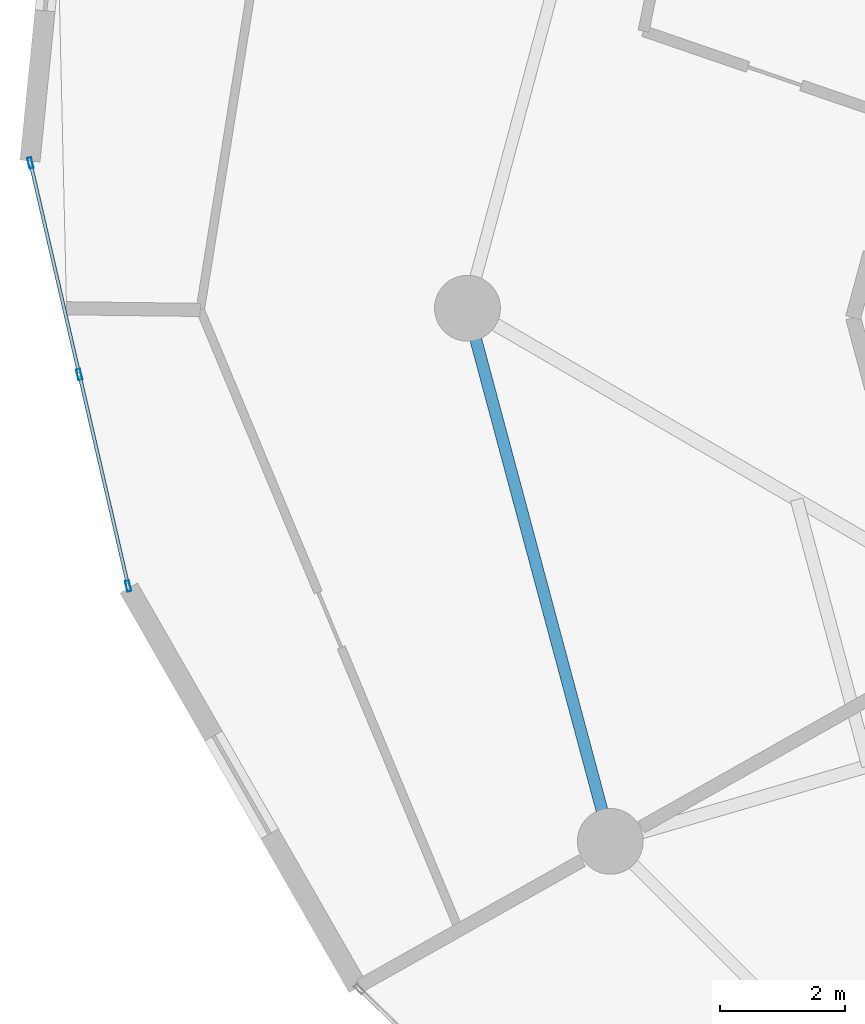
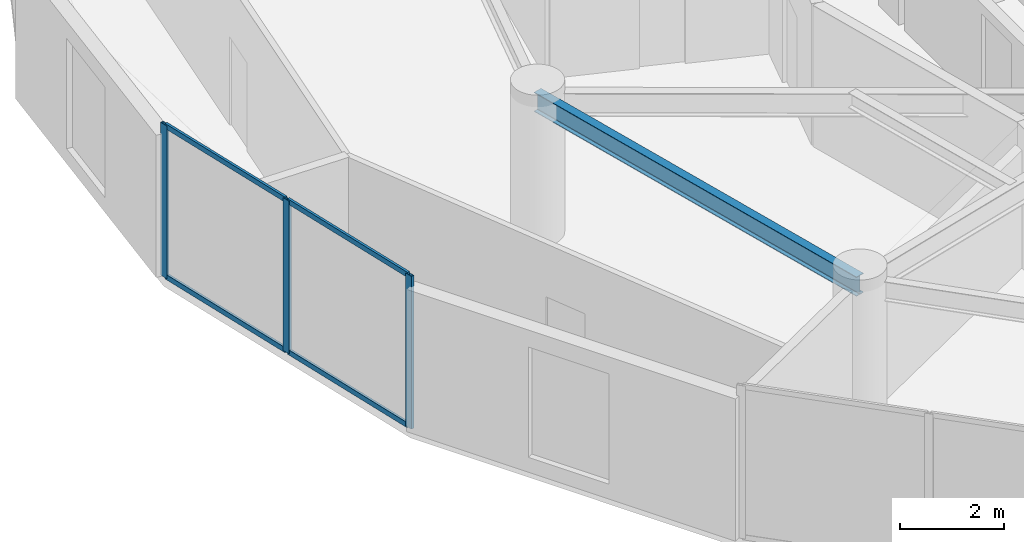
# One storey, part 6 of 25: 7 members, 1 beam, 1 element without a shape of its own.
"""IFC4 building model written with IfcOpenShell, lengths in metres."""

from ifc_helpers import new_model, si_unit, direction, frame, origin, origin_2d, place, context, subcontext, project, spatial, hollow_rectangle, i_section, extrude, source, transform, mapped, material, layer, layer_set, material_profile, profile_set, type_object, element, aggregate, save


model = new_model("IFC4")

# Units and contexts
model_context = context("Model", 3, precision=1e-05, world=origin(), true_north=direction((0.0, 1.0)))
body_context = subcontext(model_context, "Body", "Model", "MODEL_VIEW")
ifc_project = project(units=[si_unit("LENGTHUNIT", "METRE"), si_unit("AREAUNIT", "SQUARE_METRE"), si_unit("VOLUMEUNIT", "CUBIC_METRE"), si_unit("PLANEANGLEUNIT", "RADIAN"), si_unit("MASSUNIT", "GRAM", prefix="KILO")], contexts=[model_context])

# Site, building, storey
site_placement = place(None, origin())
site = spatial("IfcSite", under=ifc_project, at=site_placement, CompositionType="ELEMENT")
building_placement = place(site_placement, origin())
building = spatial("IfcBuilding", under=site, at=building_placement, Name="Solvirekh Grand Hotel", CompositionType="ELEMENT")
storey_placement = place(building_placement, frame((0.0, 0.0, 124.199951171875)))
storey = spatial("IfcBuildingStorey", under=building, at=storey_placement, Name="L31", CompositionType="ELEMENT", Elevation=124.199951171875)

# Beam
ifc_material_1 = material(Name="Steel S355", Category="steel")
ifc_material_profile_1 = material_profile(ifc_material_1, i_section(OverallWidth=0.18994140625, OverallDepth=0.45703125, WebThickness=0.009033203125, FlangeThickness=0.013916015625, FilletRadius=0.012939453125, at=origin_2d()), Name="W460X74")
ifc_profile_set_1 = profile_set([ifc_material_profile_1], Name="Steel S355")
beam_type = type_object("IfcBeamType", Name="Spandrel_Ring_W460", PredefinedType="SPANDREL", material=ifc_profile_set_1)
beam_placement = place(storey_placement, frame((-17.0, 0.0, 3.1220703125), z_axis=(0.258872908946, -0.965911391906, 0.0), x_axis=(0.965911391906, 0.258872908946, 0.0)))
element("IfcBeam", 1, at=beam_placement, inside=storey, type_object=beam_type, Name="L31 perimeter spandrel beam 7", PredefinedType="SPANDREL", context=body_context, shape_type="SweptSolid", body=[
    extrude(i_section(OverallWidth=0.18994140625, OverallDepth=0.45703125, WebThickness=0.009033203125, FlangeThickness=0.013916015625, FilletRadius=0.012939453125, at=origin_2d()), origin(), (0.0, 0.0, 1.0), 8.800048828125),
])

# Curtain wall, members
ifc_material_2 = material(Name="Anodized Bronze Aluminium 6063-T6", Category="aluminium")
ifc_layer = layer(ifc_material_2, 0.175048828125)
ifc_layer_set = layer_set([ifc_layer], Name="Anodized Bronze Aluminium 6063-T6")
curtain_wall_type = type_object("IfcCurtainWallType", Name="CW_Sys3_MidZoneFlushBronzeCW", PredefinedType="NOTDEFINED", material=ifc_layer_set)
curtain_wall_placement = place(storey_placement, origin())
curtain_wall = element("IfcCurtainWall", 2, at=curtain_wall_placement, inside=storey, type_object=curtain_wall_type, Name="L31 unitised bronze-glass curtain wall CW-L31-C13", PredefinedType="NOTDEFINED")
ifc_material_profile_2 = material_profile(ifc_material_2, hollow_rectangle(XDim=0.054931640625, YDim=0.1201171875, WallThickness=0.00390625, at=origin_2d()), Name="ALU RHS 120X55X4")
ifc_profile_set_2 = profile_set([ifc_material_profile_2], Name="Anodized Bronze Aluminium 6063-T6")
member_type_1 = type_object("IfcMemberType", Name="CWTransom_Sys3", PredefinedType="USERDEFINED", material=ifc_profile_set_2)
shared_shape_1 = source(origin(), body_context, "Body", "SweptSolid", [
    extrude(hollow_rectangle(XDim=0.054931640625, YDim=0.1201171875, WallThickness=0.00390625, at=origin_2d()), origin(), (0.0, 0.0, 1.0), 3.397216796875),
])
member_1_placement = place(storey_placement, frame((-23.181640625, -1.087646484375, 0.027587890625), z_axis=(0.225148161778, -0.974324537948, 0.0), x_axis=(0.974324537948, 0.225148161778, 0.0)))
member_1 = element("IfcMember", 3, at=member_1_placement, type_object=member_type_1, Name="U03 transom 2.1", ObjectType="TRANSOM", PredefinedType="USERDEFINED", context=body_context, shape_type="MappedRepresentation", body=[
    mapped(shared_shape_1, transform((0.0, 0.0, 0.0), x_axis=(1.0, 0.0, 0.0), y_axis=(0.0, 1.0, 0.0), z_axis=(0.0, 0.0, 1.0), scale=1.0)),
])
member_2_placement = place(storey_placement, frame((-23.181640625, -1.087646484375, 3.572509765625), z_axis=(0.225148161778, -0.974324537948, 0.0), x_axis=(0.974324537948, 0.225148161778, 0.0)))
member_2 = element("IfcMember", 4, at=member_2_placement, type_object=member_type_1, Name="U03 transom 2.2", ObjectType="TRANSOM", PredefinedType="USERDEFINED", context=body_context, shape_type="MappedRepresentation", body=[
    mapped(shared_shape_1, transform((0.0, 0.0, 0.0), x_axis=(1.0, 0.0, 0.0), y_axis=(0.0, 1.0, 0.0), z_axis=(0.0, 0.0, 1.0), scale=1.0)),
])
ifc_material_profile_3 = material_profile(ifc_material_2, hollow_rectangle(XDim=0.06494140625, YDim=0.175048828125, WallThickness=0.0048828125, at=origin_2d()), Name="ALU RHS 175X65X5")
ifc_profile_set_3 = profile_set([ifc_material_profile_3], Name="Anodized Bronze Aluminium 6063-T6")
member_type_2 = type_object("IfcMemberType", Name="CWMullion_Sys3", PredefinedType="MULLION", material=ifc_profile_set_3)
shared_shape_2 = source(origin(), body_context, "Body", "SweptSolid", [
    extrude(hollow_rectangle(XDim=0.06494140625, YDim=0.175048828125, WallThickness=0.0048828125, at=origin_2d()), origin(), (0.0, 0.0, 1.0), 3.60009765625),
])
member_3_placement = place(storey_placement, frame((-23.96875, 2.3173828125, 0.0), z_axis=(0.0, 0.0, 1.0), x_axis=(0.974313976399, 0.225193861801, 0.0)))
member_3 = element("IfcMember", 5, at=member_3_placement, type_object=member_type_2, Name="U03 mullion 1", PredefinedType="MULLION", context=body_context, shape_type="MappedRepresentation", body=[
    mapped(shared_shape_2, transform((0.0, 0.0, 0.0), x_axis=(1.0, 0.0, 0.0), y_axis=(0.0, 1.0, 0.0), z_axis=(0.0, 0.0, 1.0), scale=1.0)),
])
member_4_placement = place(storey_placement, frame((-23.18896484375, -1.055908203125, 0.0), z_axis=(0.0, 0.0, 1.0), x_axis=(0.974313976399, 0.225193861801, 0.0)))
member_4 = element("IfcMember", 6, at=member_4_placement, type_object=member_type_2, Name="U03 mullion 2", PredefinedType="MULLION", context=body_context, shape_type="MappedRepresentation", body=[
    mapped(shared_shape_2, transform((0.0, 0.0, 0.0), x_axis=(1.0, 0.0, 0.0), y_axis=(0.0, 1.0, 0.0), z_axis=(0.0, 0.0, 1.0), scale=1.0)),
])
member_5_placement = place(storey_placement, frame((-22.409423828125, -4.429443359375, 0.0), z_axis=(0.0, 0.0, 1.0), x_axis=(0.974313976399, 0.225193861801, 0.0)))
member_5 = element("IfcMember", 7, at=member_5_placement, type_object=member_type_2, Name="U03 mullion 3", PredefinedType="MULLION", context=body_context, shape_type="MappedRepresentation", body=[
    mapped(shared_shape_2, transform((0.0, 0.0, 0.0), x_axis=(1.0, 0.0, 0.0), y_axis=(0.0, 1.0, 0.0), z_axis=(0.0, 0.0, 1.0), scale=1.0)),
])
shared_shape_3 = source(origin(), body_context, "Body", "SweptSolid", [
    extrude(hollow_rectangle(XDim=0.054931640625, YDim=0.1201171875, WallThickness=0.00390625, at=origin_2d()), origin(), (0.0, 0.0, 1.0), 3.3974609375),
])
member_6_placement = place(storey_placement, frame((-23.96142578125, 2.28564453125, 0.027587890625), z_axis=(0.225216380684, -0.97430877132, 0.0), x_axis=(0.97430877132, 0.225216380684, 0.0)))
member_6 = element("IfcMember", 8, at=member_6_placement, type_object=member_type_1, Name="U03 transom 1.1", ObjectType="TRANSOM", PredefinedType="USERDEFINED", context=body_context, shape_type="MappedRepresentation", body=[
    mapped(shared_shape_3, transform((0.0, 0.0, 0.0), x_axis=(1.0, 0.0, 0.0), y_axis=(0.0, 1.0, 0.0), z_axis=(0.0, 0.0, 1.0), scale=1.0)),
])
member_7_placement = place(storey_placement, frame((-23.96142578125, 2.28564453125, 3.572509765625), z_axis=(0.225216380684, -0.97430877132, 0.0), x_axis=(0.97430877132, 0.225216380684, 0.0)))
member_7 = element("IfcMember", 9, at=member_7_placement, type_object=member_type_1, Name="U03 transom 1.2", ObjectType="TRANSOM", PredefinedType="USERDEFINED", context=body_context, shape_type="MappedRepresentation", body=[
    mapped(shared_shape_3, transform((0.0, 0.0, 0.0), x_axis=(1.0, 0.0, 0.0), y_axis=(0.0, 1.0, 0.0), z_axis=(0.0, 0.0, 1.0), scale=1.0)),
])
aggregate(curtain_wall, [member_3, member_4, member_5, member_6, member_7, member_1, member_2])

save(model, "model.ifc")
